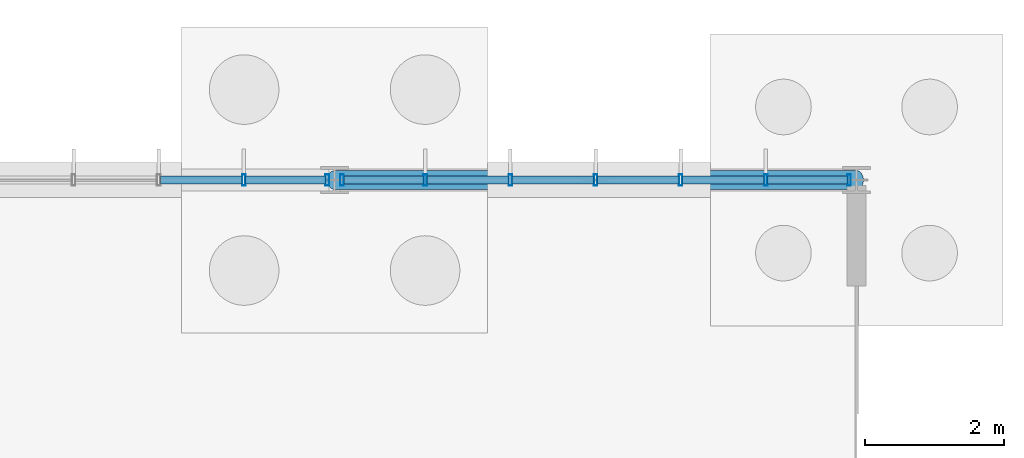
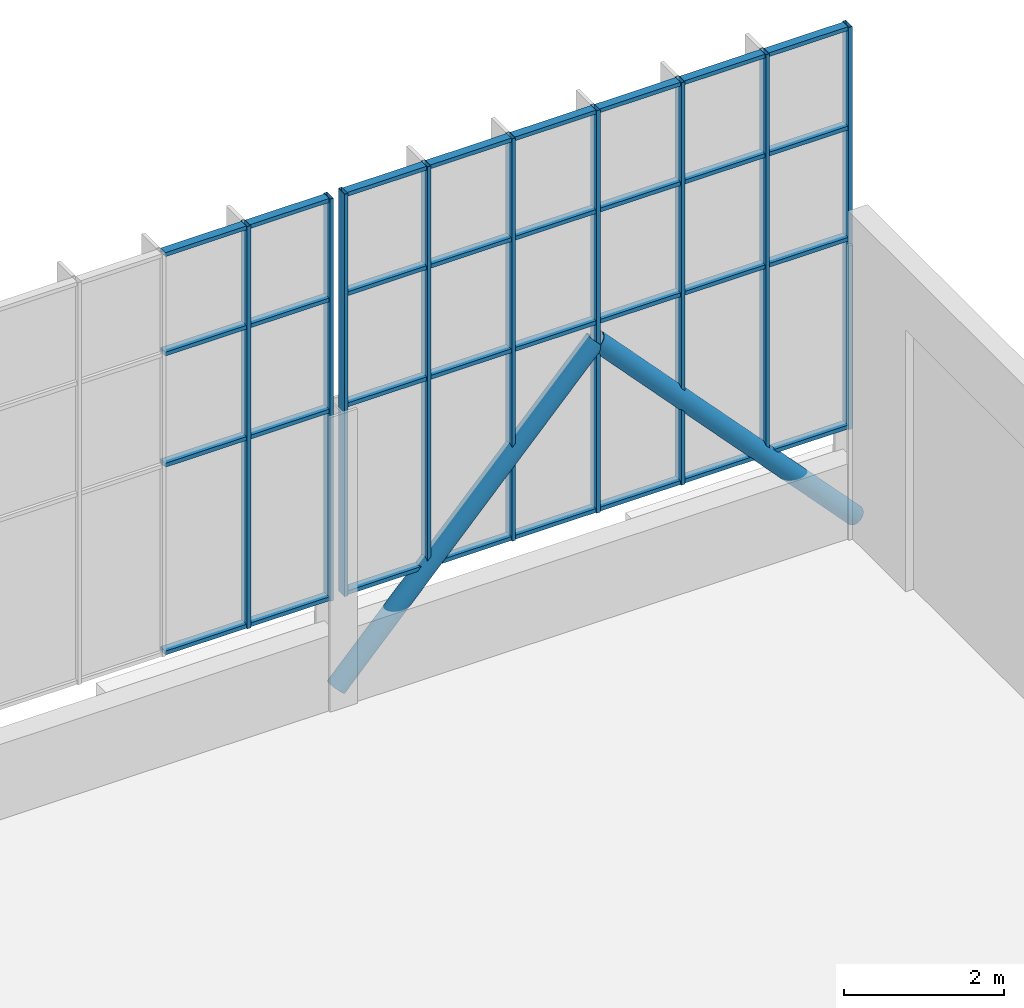
# One storey, part 80 of 136: 43 members, 2 elements without a shape of their own.
"""IFC4 building model written with IfcOpenShell, lengths in metres."""

from ifc_helpers import new_model, si_unit, direction, frame, origin, origin_2d, place, context, subcontext, project, spatial, hollow_rectangle, hollow_circle, extrude, material, layer, layer_set, material_profile, profile_set, type_object, element, aggregate, save


model = new_model("IFC4")

# Units and contexts
model_context = context("Model", 3, precision=1e-05, world=origin(), true_north=direction((0.0, 1.0)))
body_context = subcontext(model_context, "Body", "Model", "MODEL_VIEW")
ifc_project = project(units=[si_unit("LENGTHUNIT", "METRE"), si_unit("AREAUNIT", "SQUARE_METRE"), si_unit("VOLUMEUNIT", "CUBIC_METRE"), si_unit("PLANEANGLEUNIT", "RADIAN"), si_unit("MASSUNIT", "GRAM", prefix="KILO")], contexts=[model_context])

# Site, building, storey
site_placement = place(None, origin())
site = spatial("IfcSite", under=ifc_project, at=site_placement, CompositionType="ELEMENT")
building_placement = place(site_placement, origin())
building = spatial("IfcBuilding", under=site, at=building_placement, Name="Solvenia Promenade Tram Depot", CompositionType="ELEMENT")
storey_placement = place(building_placement, origin())
storey = spatial("IfcBuildingStorey", under=building, at=storey_placement, Name="L00", CompositionType="ELEMENT", Elevation=0.0)

# Members
ifc_material_1 = material(Name="Structural steel ASTM A500 Gr. C", Category="steel")
ifc_material_profile_1 = material_profile(ifc_material_1, hollow_circle(Radius=0.136474609375, WallThickness=0.010009765625, at=origin_2d()), Name="CHS273.0x10", Category="steel")
ifc_profile_set_1 = profile_set([ifc_material_profile_1], Name="Structural steel ASTM A500 Gr. C")
member_type_1 = type_object("IfcMemberType", Name="Brace-CHS273x10", PredefinedType="BRACE", material=ifc_profile_set_1)
for number, where, z_axis, x_axis, name in (
    (1, (142.5, 126.0, 0.199951171875), (0.683941128881, 0.0, 0.72953720414), (0.0, 1.0, 0.0), "PAC-DES Chevron Brace 04L"),
    (2, (150.0, 126.0, 0.199951171875), (-0.683941128881, 0.0, 0.72953720414), (0.0, -1.0, 0.0), "PAC-DES Chevron Brace 04R"),
):
    element("IfcMember", number, at=place(storey_placement, frame(where, z_axis=z_axis, x_axis=x_axis)), inside=storey, type_object=member_type_1, Name=name, PredefinedType="BRACE", context=body_context, shape_type="SweptSolid", body=[
        extrude(hollow_circle(Radius=0.136474609375, WallThickness=0.010009765625, at=origin_2d()), origin(), (0.0, 0.0, 1.0), 5.48291015625),
    ])

# Curtain wall, members
ifc_material_2 = material(Name="Anodized aluminium AW-6063 T6", Category="aluminium")
ifc_layer = layer(ifc_material_2, 0.159912109375, Name="Anodized aluminium AW-6063 T6", Category="aluminium")
ifc_layer_set = layer_set([ifc_layer], Name="Anodized aluminium AW-6063 T6")
curtain_wall_type = type_object("IfcCurtainWallType", Name="CW-Channel-1200", PredefinedType="NOTDEFINED", material=ifc_layer_set)
curtain_wall_1_placement = place(storey_placement, origin())
curtain_wall_1 = element("IfcCurtainWall", 3, at=curtain_wall_1_placement, inside=storey, type_object=curtain_wall_type, Name="North Translucent Channel-Glass Wall 19", PredefinedType="NOTDEFINED")
ifc_material_profile_2 = material_profile(ifc_material_2, hollow_rectangle(XDim=0.159912109375, YDim=0.052001953125, WallThickness=0.00390625, at=origin_2d()), Name="ALU-M1", Category="aluminium")
ifc_profile_set_2 = profile_set([ifc_material_profile_2], Name="Anodized aluminium AW-6063 T6")
member_type_2 = type_object("IfcMemberType", Name="CWM-Mullion-1", PredefinedType="MULLION", material=ifc_profile_set_2)
member_1_placement = place(storey_placement, frame((141.19677734375, 126.0, 1.60009765625), z_axis=(0.0, 0.0, 1.0), x_axis=(0.0, 1.0, 0.0)))
member_1 = element("IfcMember", 4, at=member_1_placement, type_object=member_type_2, Name="CW-1 mullion 6", PredefinedType="MULLION", context=body_context, shape_type="SweptSolid", body=[
    extrude(hollow_rectangle(XDim=0.159912109375, YDim=0.052001953125, WallThickness=0.00390625, at=origin_2d()), origin(), (0.0, 0.0, 1.0), 6.14990234375),
])
member_2_placement = place(storey_placement, frame((142.39404296875, 126.0, 1.60009765625), z_axis=(0.0, 0.0, 1.0), x_axis=(0.0, 1.0, 0.0)))
member_2 = element("IfcMember", 5, at=member_2_placement, type_object=member_type_2, Name="CW-1 mullion 7", PredefinedType="MULLION", context=body_context, shape_type="SweptSolid", body=[
    extrude(hollow_rectangle(XDim=0.159912109375, YDim=0.052001953125, WallThickness=0.00390625, at=origin_2d()), origin(), (0.0, 0.0, 1.0), 6.14990234375),
])

curtain_wall_2_placement = place(storey_placement, origin())
curtain_wall_2 = element("IfcCurtainWall", 6, at=curtain_wall_2_placement, inside=storey, type_object=curtain_wall_type, Name="North Translucent Channel-Glass Wall 20", PredefinedType="NOTDEFINED")
member_3_placement = place(storey_placement, frame((142.60595703125, 126.0, 1.60009765625), z_axis=(0.0, 0.0, 1.0), x_axis=(0.0, 1.0, 0.0)))
member_3 = element("IfcMember", 7, at=member_3_placement, type_object=member_type_2, Name="CW-1 mullion 1", PredefinedType="MULLION", context=body_context, shape_type="SweptSolid", body=[
    extrude(hollow_rectangle(XDim=0.159912109375, YDim=0.052001953125, WallThickness=0.00390625, at=origin_2d()), origin(), (0.0, 0.0, 1.0), 6.14990234375),
])
member_4_placement = place(storey_placement, frame((143.80322265625, 126.0, 1.60009765625), z_axis=(0.0, 0.0, 1.0), x_axis=(0.0, 1.0, 0.0)))
member_4 = element("IfcMember", 8, at=member_4_placement, type_object=member_type_2, Name="CW-1 mullion 2", PredefinedType="MULLION", context=body_context, shape_type="SweptSolid", body=[
    extrude(hollow_rectangle(XDim=0.159912109375, YDim=0.052001953125, WallThickness=0.00390625, at=origin_2d()), origin(), (0.0, 0.0, 1.0), 6.14990234375),
])
member_5_placement = place(storey_placement, frame((145.026611328125, 126.0, 1.60009765625), z_axis=(0.0, 0.0, 1.0), x_axis=(0.0, 1.0, 0.0)))
member_5 = element("IfcMember", 9, at=member_5_placement, type_object=member_type_2, Name="CW-1 mullion 3", PredefinedType="MULLION", context=body_context, shape_type="SweptSolid", body=[
    extrude(hollow_rectangle(XDim=0.159912109375, YDim=0.052001953125, WallThickness=0.00390625, at=origin_2d()), origin(), (0.0, 0.0, 1.0), 6.14990234375),
])
member_6_placement = place(storey_placement, frame((146.25, 126.0, 1.60009765625), z_axis=(0.0, 0.0, 1.0), x_axis=(0.0, 1.0, 0.0)))
member_6 = element("IfcMember", 10, at=member_6_placement, type_object=member_type_2, Name="CW-1 mullion 4", PredefinedType="MULLION", context=body_context, shape_type="SweptSolid", body=[
    extrude(hollow_rectangle(XDim=0.159912109375, YDim=0.052001953125, WallThickness=0.00390625, at=origin_2d()), origin(), (0.0, 0.0, 1.0), 6.14990234375),
])
member_7_placement = place(storey_placement, frame((147.473388671875, 126.0, 1.60009765625), z_axis=(0.0, 0.0, 1.0), x_axis=(0.0, 1.0, 0.0)))
member_7 = element("IfcMember", 11, at=member_7_placement, type_object=member_type_2, Name="CW-1 mullion 5", PredefinedType="MULLION", context=body_context, shape_type="SweptSolid", body=[
    extrude(hollow_rectangle(XDim=0.159912109375, YDim=0.052001953125, WallThickness=0.00390625, at=origin_2d()), origin(), (0.0, 0.0, 1.0), 6.14990234375),
])
member_8_placement = place(storey_placement, frame((148.69677734375, 126.0, 1.60009765625), z_axis=(0.0, 0.0, 1.0), x_axis=(0.0, 1.0, 0.0)))
member_8 = element("IfcMember", 12, at=member_8_placement, type_object=member_type_2, Name="CW-1 mullion 6", PredefinedType="MULLION", context=body_context, shape_type="SweptSolid", body=[
    extrude(hollow_rectangle(XDim=0.159912109375, YDim=0.052001953125, WallThickness=0.00390625, at=origin_2d()), origin(), (0.0, 0.0, 1.0), 6.14990234375),
])
member_9_placement = place(storey_placement, frame((149.89404296875, 126.0, 1.60009765625), z_axis=(0.0, 0.0, 1.0), x_axis=(0.0, 1.0, 0.0)))
member_9 = element("IfcMember", 13, at=member_9_placement, type_object=member_type_2, Name="CW-1 mullion 7", PredefinedType="MULLION", context=body_context, shape_type="SweptSolid", body=[
    extrude(hollow_rectangle(XDim=0.159912109375, YDim=0.052001953125, WallThickness=0.00390625, at=origin_2d()), origin(), (0.0, 0.0, 1.0), 6.14990234375),
])

# Member
ifc_material_profile_3 = material_profile(ifc_material_2, hollow_rectangle(XDim=0.1201171875, YDim=0.06005859375, WallThickness=0.00390625, at=origin_2d()), Name="ALU-T1", Category="aluminium")
ifc_profile_set_3 = profile_set([ifc_material_profile_3], Name="Anodized aluminium AW-6063 T6")
member_type_3 = type_object("IfcMemberType", Name="CWT-Transom-1", PredefinedType="USERDEFINED", material=ifc_profile_set_3)
member_10_placement = place(storey_placement, frame((139.999267578125, 126.0, 1.6298828125), z_axis=(1.0, 0.0, 0.0), x_axis=(0.0, 1.0, 0.0)))
member_10 = element("IfcMember", 14, at=member_10_placement, type_object=member_type_3, Name="CW-1 transom 5.1", ObjectType="TRANSOM", PredefinedType="USERDEFINED", context=body_context, shape_type="SweptSolid", body=[
    extrude(hollow_rectangle(XDim=0.1201171875, YDim=0.06005859375, WallThickness=0.00390625, at=origin_2d()), origin(), (0.0, 0.0, 1.0), 1.17138671875),
])

member_11_placement = place(storey_placement, frame((139.999267578125, 126.0, 4.5), z_axis=(1.0, 0.0, 0.0), x_axis=(0.0, 1.0, 0.0)))
member_11 = element("IfcMember", 15, at=member_11_placement, type_object=member_type_3, Name="CW-1 transom 5.2", ObjectType="TRANSOM", PredefinedType="USERDEFINED", context=body_context, shape_type="SweptSolid", body=[
    extrude(hollow_rectangle(XDim=0.1201171875, YDim=0.06005859375, WallThickness=0.00390625, at=origin_2d()), origin(), (0.0, 0.0, 1.0), 1.17138671875),
])

member_12_placement = place(storey_placement, frame((139.999267578125, 126.0, 6.199951171875), z_axis=(1.0, 0.0, 0.0), x_axis=(0.0, 1.0, 0.0)))
member_12 = element("IfcMember", 16, at=member_12_placement, type_object=member_type_3, Name="CW-1 transom 5.3", ObjectType="TRANSOM", PredefinedType="USERDEFINED", context=body_context, shape_type="SweptSolid", body=[
    extrude(hollow_rectangle(XDim=0.1201171875, YDim=0.06005859375, WallThickness=0.00390625, at=origin_2d()), origin(), (0.0, 0.0, 1.0), 1.17138671875),
])

member_13_placement = place(storey_placement, frame((139.999267578125, 126.0, 7.719970703125), z_axis=(1.0, 0.0, 0.0), x_axis=(0.0, 1.0, 0.0)))
member_13 = element("IfcMember", 17, at=member_13_placement, type_object=member_type_3, Name="CW-1 transom 5.4", ObjectType="TRANSOM", PredefinedType="USERDEFINED", context=body_context, shape_type="SweptSolid", body=[
    extrude(hollow_rectangle(XDim=0.1201171875, YDim=0.06005859375, WallThickness=0.00390625, at=origin_2d()), origin(), (0.0, 0.0, 1.0), 1.17138671875),
])

member_14_placement = place(storey_placement, frame((141.22265625, 126.0, 1.6298828125), z_axis=(1.0, 0.0, 0.0), x_axis=(0.0, 1.0, 0.0)))
member_14 = element("IfcMember", 18, at=member_14_placement, type_object=member_type_3, Name="CW-1 transom 6.1", ObjectType="TRANSOM", PredefinedType="USERDEFINED", context=body_context, shape_type="SweptSolid", body=[
    extrude(hollow_rectangle(XDim=0.1201171875, YDim=0.06005859375, WallThickness=0.00390625, at=origin_2d()), origin(), (0.0, 0.0, 1.0), 1.145263671875),
])

member_15_placement = place(storey_placement, frame((141.22265625, 126.0, 4.5), z_axis=(1.0, 0.0, 0.0), x_axis=(0.0, 1.0, 0.0)))
member_15 = element("IfcMember", 19, at=member_15_placement, type_object=member_type_3, Name="CW-1 transom 6.2", ObjectType="TRANSOM", PredefinedType="USERDEFINED", context=body_context, shape_type="SweptSolid", body=[
    extrude(hollow_rectangle(XDim=0.1201171875, YDim=0.06005859375, WallThickness=0.00390625, at=origin_2d()), origin(), (0.0, 0.0, 1.0), 1.145263671875),
])

member_16_placement = place(storey_placement, frame((141.22265625, 126.0, 6.199951171875), z_axis=(1.0, 0.0, 0.0), x_axis=(0.0, 1.0, 0.0)))
member_16 = element("IfcMember", 20, at=member_16_placement, type_object=member_type_3, Name="CW-1 transom 6.3", ObjectType="TRANSOM", PredefinedType="USERDEFINED", context=body_context, shape_type="SweptSolid", body=[
    extrude(hollow_rectangle(XDim=0.1201171875, YDim=0.06005859375, WallThickness=0.00390625, at=origin_2d()), origin(), (0.0, 0.0, 1.0), 1.145263671875),
])

member_17_placement = place(storey_placement, frame((141.22265625, 126.0, 7.719970703125), z_axis=(1.0, 0.0, 0.0), x_axis=(0.0, 1.0, 0.0)))
member_17 = element("IfcMember", 21, at=member_17_placement, type_object=member_type_3, Name="CW-1 transom 6.4", ObjectType="TRANSOM", PredefinedType="USERDEFINED", context=body_context, shape_type="SweptSolid", body=[
    extrude(hollow_rectangle(XDim=0.1201171875, YDim=0.06005859375, WallThickness=0.00390625, at=origin_2d()), origin(), (0.0, 0.0, 1.0), 1.145263671875),
])

aggregate(curtain_wall_1, [member_1, member_2, member_10, member_11, member_12, member_13, member_14, member_15, member_16, member_17])

member_18_placement = place(storey_placement, frame((142.632080078125, 126.0, 1.6298828125), z_axis=(1.0, 0.0, 0.0), x_axis=(0.0, 1.0, 0.0)))
member_18 = element("IfcMember", 22, at=member_18_placement, type_object=member_type_3, Name="CW-1 transom 1.1", ObjectType="TRANSOM", PredefinedType="USERDEFINED", context=body_context, shape_type="SweptSolid", body=[
    extrude(hollow_rectangle(XDim=0.1201171875, YDim=0.06005859375, WallThickness=0.00390625, at=origin_2d()), origin(), (0.0, 0.0, 1.0), 1.145263671875),
])

member_19_placement = place(storey_placement, frame((142.632080078125, 126.0, 4.5), z_axis=(1.0, 0.0, 0.0), x_axis=(0.0, 1.0, 0.0)))
member_19 = element("IfcMember", 23, at=member_19_placement, type_object=member_type_3, Name="CW-1 transom 1.2", ObjectType="TRANSOM", PredefinedType="USERDEFINED", context=body_context, shape_type="SweptSolid", body=[
    extrude(hollow_rectangle(XDim=0.1201171875, YDim=0.06005859375, WallThickness=0.00390625, at=origin_2d()), origin(), (0.0, 0.0, 1.0), 1.145263671875),
])

member_20_placement = place(storey_placement, frame((142.632080078125, 126.0, 6.199951171875), z_axis=(1.0, 0.0, 0.0), x_axis=(0.0, 1.0, 0.0)))
member_20 = element("IfcMember", 24, at=member_20_placement, type_object=member_type_3, Name="CW-1 transom 1.3", ObjectType="TRANSOM", PredefinedType="USERDEFINED", context=body_context, shape_type="SweptSolid", body=[
    extrude(hollow_rectangle(XDim=0.1201171875, YDim=0.06005859375, WallThickness=0.00390625, at=origin_2d()), origin(), (0.0, 0.0, 1.0), 1.145263671875),
])

member_21_placement = place(storey_placement, frame((142.632080078125, 126.0, 7.719970703125), z_axis=(1.0, 0.0, 0.0), x_axis=(0.0, 1.0, 0.0)))
member_21 = element("IfcMember", 25, at=member_21_placement, type_object=member_type_3, Name="CW-1 transom 1.4", ObjectType="TRANSOM", PredefinedType="USERDEFINED", context=body_context, shape_type="SweptSolid", body=[
    extrude(hollow_rectangle(XDim=0.1201171875, YDim=0.06005859375, WallThickness=0.00390625, at=origin_2d()), origin(), (0.0, 0.0, 1.0), 1.145263671875),
])

member_22_placement = place(storey_placement, frame((143.829345703125, 126.0, 1.6298828125), z_axis=(1.0, 0.0, 0.0), x_axis=(0.0, 1.0, 0.0)))
member_22 = element("IfcMember", 26, at=member_22_placement, type_object=member_type_3, Name="CW-1 transom 2.1", ObjectType="TRANSOM", PredefinedType="USERDEFINED", context=body_context, shape_type="SweptSolid", body=[
    extrude(hollow_rectangle(XDim=0.1201171875, YDim=0.06005859375, WallThickness=0.00390625, at=origin_2d()), origin(), (0.0, 0.0, 1.0), 1.17138671875),
])

member_23_placement = place(storey_placement, frame((143.829345703125, 126.0, 4.5), z_axis=(1.0, 0.0, 0.0), x_axis=(0.0, 1.0, 0.0)))
member_23 = element("IfcMember", 27, at=member_23_placement, type_object=member_type_3, Name="CW-1 transom 2.2", ObjectType="TRANSOM", PredefinedType="USERDEFINED", context=body_context, shape_type="SweptSolid", body=[
    extrude(hollow_rectangle(XDim=0.1201171875, YDim=0.06005859375, WallThickness=0.00390625, at=origin_2d()), origin(), (0.0, 0.0, 1.0), 1.17138671875),
])

member_24_placement = place(storey_placement, frame((143.829345703125, 126.0, 6.199951171875), z_axis=(1.0, 0.0, 0.0), x_axis=(0.0, 1.0, 0.0)))
member_24 = element("IfcMember", 28, at=member_24_placement, type_object=member_type_3, Name="CW-1 transom 2.3", ObjectType="TRANSOM", PredefinedType="USERDEFINED", context=body_context, shape_type="SweptSolid", body=[
    extrude(hollow_rectangle(XDim=0.1201171875, YDim=0.06005859375, WallThickness=0.00390625, at=origin_2d()), origin(), (0.0, 0.0, 1.0), 1.17138671875),
])

member_25_placement = place(storey_placement, frame((143.829345703125, 126.0, 7.719970703125), z_axis=(1.0, 0.0, 0.0), x_axis=(0.0, 1.0, 0.0)))
member_25 = element("IfcMember", 29, at=member_25_placement, type_object=member_type_3, Name="CW-1 transom 2.4", ObjectType="TRANSOM", PredefinedType="USERDEFINED", context=body_context, shape_type="SweptSolid", body=[
    extrude(hollow_rectangle(XDim=0.1201171875, YDim=0.06005859375, WallThickness=0.00390625, at=origin_2d()), origin(), (0.0, 0.0, 1.0), 1.17138671875),
])

member_26_placement = place(storey_placement, frame((145.052734375, 126.0, 1.6298828125), z_axis=(1.0, 0.0, 0.0), x_axis=(0.0, 1.0, 0.0)))
member_26 = element("IfcMember", 30, at=member_26_placement, type_object=member_type_3, Name="CW-1 transom 3.1", ObjectType="TRANSOM", PredefinedType="USERDEFINED", context=body_context, shape_type="SweptSolid", body=[
    extrude(hollow_rectangle(XDim=0.1201171875, YDim=0.06005859375, WallThickness=0.00390625, at=origin_2d()), origin(), (0.0, 0.0, 1.0), 1.17138671875),
])

member_27_placement = place(storey_placement, frame((145.052734375, 126.0, 4.5), z_axis=(1.0, 0.0, 0.0), x_axis=(0.0, 1.0, 0.0)))
member_27 = element("IfcMember", 31, at=member_27_placement, type_object=member_type_3, Name="CW-1 transom 3.2", ObjectType="TRANSOM", PredefinedType="USERDEFINED", context=body_context, shape_type="SweptSolid", body=[
    extrude(hollow_rectangle(XDim=0.1201171875, YDim=0.06005859375, WallThickness=0.00390625, at=origin_2d()), origin(), (0.0, 0.0, 1.0), 1.17138671875),
])

member_28_placement = place(storey_placement, frame((145.052734375, 126.0, 6.199951171875), z_axis=(1.0, 0.0, 0.0), x_axis=(0.0, 1.0, 0.0)))
member_28 = element("IfcMember", 32, at=member_28_placement, type_object=member_type_3, Name="CW-1 transom 3.3", ObjectType="TRANSOM", PredefinedType="USERDEFINED", context=body_context, shape_type="SweptSolid", body=[
    extrude(hollow_rectangle(XDim=0.1201171875, YDim=0.06005859375, WallThickness=0.00390625, at=origin_2d()), origin(), (0.0, 0.0, 1.0), 1.17138671875),
])

member_29_placement = place(storey_placement, frame((145.052734375, 126.0, 7.719970703125), z_axis=(1.0, 0.0, 0.0), x_axis=(0.0, 1.0, 0.0)))
member_29 = element("IfcMember", 33, at=member_29_placement, type_object=member_type_3, Name="CW-1 transom 3.4", ObjectType="TRANSOM", PredefinedType="USERDEFINED", context=body_context, shape_type="SweptSolid", body=[
    extrude(hollow_rectangle(XDim=0.1201171875, YDim=0.06005859375, WallThickness=0.00390625, at=origin_2d()), origin(), (0.0, 0.0, 1.0), 1.17138671875),
])

member_30_placement = place(storey_placement, frame((146.27587890625, 126.0, 1.6298828125), z_axis=(1.0, 0.0, 0.0), x_axis=(0.0, 1.0, 0.0)))
member_30 = element("IfcMember", 34, at=member_30_placement, type_object=member_type_3, Name="CW-1 transom 4.1", ObjectType="TRANSOM", PredefinedType="USERDEFINED", context=body_context, shape_type="SweptSolid", body=[
    extrude(hollow_rectangle(XDim=0.1201171875, YDim=0.06005859375, WallThickness=0.00390625, at=origin_2d()), origin(), (0.0, 0.0, 1.0), 1.17138671875),
])

member_31_placement = place(storey_placement, frame((146.27587890625, 126.0, 4.5), z_axis=(1.0, 0.0, 0.0), x_axis=(0.0, 1.0, 0.0)))
member_31 = element("IfcMember", 35, at=member_31_placement, type_object=member_type_3, Name="CW-1 transom 4.2", ObjectType="TRANSOM", PredefinedType="USERDEFINED", context=body_context, shape_type="SweptSolid", body=[
    extrude(hollow_rectangle(XDim=0.1201171875, YDim=0.06005859375, WallThickness=0.00390625, at=origin_2d()), origin(), (0.0, 0.0, 1.0), 1.17138671875),
])

member_32_placement = place(storey_placement, frame((146.27587890625, 126.0, 6.199951171875), z_axis=(1.0, 0.0, 0.0), x_axis=(0.0, 1.0, 0.0)))
member_32 = element("IfcMember", 36, at=member_32_placement, type_object=member_type_3, Name="CW-1 transom 4.3", ObjectType="TRANSOM", PredefinedType="USERDEFINED", context=body_context, shape_type="SweptSolid", body=[
    extrude(hollow_rectangle(XDim=0.1201171875, YDim=0.06005859375, WallThickness=0.00390625, at=origin_2d()), origin(), (0.0, 0.0, 1.0), 1.17138671875),
])

member_33_placement = place(storey_placement, frame((146.27587890625, 126.0, 7.719970703125), z_axis=(1.0, 0.0, 0.0), x_axis=(0.0, 1.0, 0.0)))
member_33 = element("IfcMember", 37, at=member_33_placement, type_object=member_type_3, Name="CW-1 transom 4.4", ObjectType="TRANSOM", PredefinedType="USERDEFINED", context=body_context, shape_type="SweptSolid", body=[
    extrude(hollow_rectangle(XDim=0.1201171875, YDim=0.06005859375, WallThickness=0.00390625, at=origin_2d()), origin(), (0.0, 0.0, 1.0), 1.17138671875),
])

member_34_placement = place(storey_placement, frame((147.499267578125, 126.0, 1.6298828125), z_axis=(1.0, 0.0, 0.0), x_axis=(0.0, 1.0, 0.0)))
member_34 = element("IfcMember", 38, at=member_34_placement, type_object=member_type_3, Name="CW-1 transom 5.1", ObjectType="TRANSOM", PredefinedType="USERDEFINED", context=body_context, shape_type="SweptSolid", body=[
    extrude(hollow_rectangle(XDim=0.1201171875, YDim=0.06005859375, WallThickness=0.00390625, at=origin_2d()), origin(), (0.0, 0.0, 1.0), 1.17138671875),
])

member_35_placement = place(storey_placement, frame((147.499267578125, 126.0, 4.5), z_axis=(1.0, 0.0, 0.0), x_axis=(0.0, 1.0, 0.0)))
member_35 = element("IfcMember", 39, at=member_35_placement, type_object=member_type_3, Name="CW-1 transom 5.2", ObjectType="TRANSOM", PredefinedType="USERDEFINED", context=body_context, shape_type="SweptSolid", body=[
    extrude(hollow_rectangle(XDim=0.1201171875, YDim=0.06005859375, WallThickness=0.00390625, at=origin_2d()), origin(), (0.0, 0.0, 1.0), 1.17138671875),
])

member_36_placement = place(storey_placement, frame((147.499267578125, 126.0, 6.199951171875), z_axis=(1.0, 0.0, 0.0), x_axis=(0.0, 1.0, 0.0)))
member_36 = element("IfcMember", 40, at=member_36_placement, type_object=member_type_3, Name="CW-1 transom 5.3", ObjectType="TRANSOM", PredefinedType="USERDEFINED", context=body_context, shape_type="SweptSolid", body=[
    extrude(hollow_rectangle(XDim=0.1201171875, YDim=0.06005859375, WallThickness=0.00390625, at=origin_2d()), origin(), (0.0, 0.0, 1.0), 1.17138671875),
])

member_37_placement = place(storey_placement, frame((147.499267578125, 126.0, 7.719970703125), z_axis=(1.0, 0.0, 0.0), x_axis=(0.0, 1.0, 0.0)))
member_37 = element("IfcMember", 41, at=member_37_placement, type_object=member_type_3, Name="CW-1 transom 5.4", ObjectType="TRANSOM", PredefinedType="USERDEFINED", context=body_context, shape_type="SweptSolid", body=[
    extrude(hollow_rectangle(XDim=0.1201171875, YDim=0.06005859375, WallThickness=0.00390625, at=origin_2d()), origin(), (0.0, 0.0, 1.0), 1.17138671875),
])

member_38_placement = place(storey_placement, frame((148.72265625, 126.0, 1.6298828125), z_axis=(1.0, 0.0, 0.0), x_axis=(0.0, 1.0, 0.0)))
member_38 = element("IfcMember", 42, at=member_38_placement, type_object=member_type_3, Name="CW-1 transom 6.1", ObjectType="TRANSOM", PredefinedType="USERDEFINED", context=body_context, shape_type="SweptSolid", body=[
    extrude(hollow_rectangle(XDim=0.1201171875, YDim=0.06005859375, WallThickness=0.00390625, at=origin_2d()), origin(), (0.0, 0.0, 1.0), 1.145263671875),
])

member_39_placement = place(storey_placement, frame((148.72265625, 126.0, 4.5), z_axis=(1.0, 0.0, 0.0), x_axis=(0.0, 1.0, 0.0)))
member_39 = element("IfcMember", 43, at=member_39_placement, type_object=member_type_3, Name="CW-1 transom 6.2", ObjectType="TRANSOM", PredefinedType="USERDEFINED", context=body_context, shape_type="SweptSolid", body=[
    extrude(hollow_rectangle(XDim=0.1201171875, YDim=0.06005859375, WallThickness=0.00390625, at=origin_2d()), origin(), (0.0, 0.0, 1.0), 1.145263671875),
])

member_40_placement = place(storey_placement, frame((148.72265625, 126.0, 6.199951171875), z_axis=(1.0, 0.0, 0.0), x_axis=(0.0, 1.0, 0.0)))
member_40 = element("IfcMember", 44, at=member_40_placement, type_object=member_type_3, Name="CW-1 transom 6.3", ObjectType="TRANSOM", PredefinedType="USERDEFINED", context=body_context, shape_type="SweptSolid", body=[
    extrude(hollow_rectangle(XDim=0.1201171875, YDim=0.06005859375, WallThickness=0.00390625, at=origin_2d()), origin(), (0.0, 0.0, 1.0), 1.145263671875),
])

member_41_placement = place(storey_placement, frame((148.72265625, 126.0, 7.719970703125), z_axis=(1.0, 0.0, 0.0), x_axis=(0.0, 1.0, 0.0)))
member_41 = element("IfcMember", 45, at=member_41_placement, type_object=member_type_3, Name="CW-1 transom 6.4", ObjectType="TRANSOM", PredefinedType="USERDEFINED", context=body_context, shape_type="SweptSolid", body=[
    extrude(hollow_rectangle(XDim=0.1201171875, YDim=0.06005859375, WallThickness=0.00390625, at=origin_2d()), origin(), (0.0, 0.0, 1.0), 1.145263671875),
])

aggregate(curtain_wall_2, [member_3, member_4, member_5, member_6, member_7, member_8, member_9, member_18, member_19, member_20, member_21, member_22, member_23, member_24, member_25, member_26, member_27, member_28, member_29, member_30, member_31, member_32, member_33, member_34, member_35, member_36, member_37, member_38, member_39, member_40, member_41])

save(model, "model.ifc")
